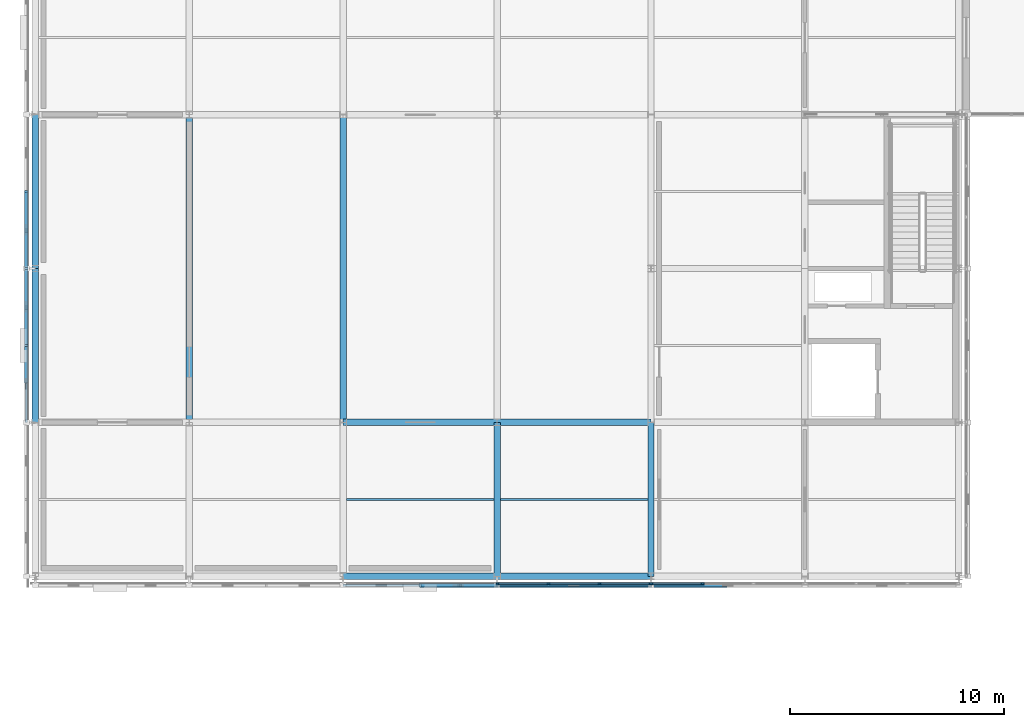
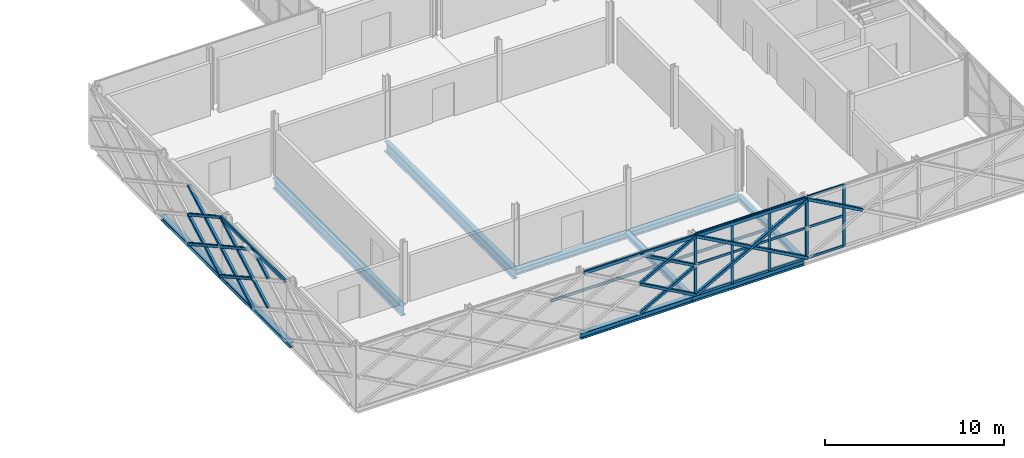
# One storey, part 26 of 146: 45 members, 12 beams, 2 elements without a shape of their own.
"""IFC4 building model written with IfcOpenShell, lengths in metres."""

import ifcopenshell
import ifcopenshell.guid

model = None  # the IFC model being written
_history = None  # IfcOwnerHistory: only IFC2X3 demands one
_inside = {}  # id of a spatial element -> (the spatial element, [elements in it])
_under = {}  # id of a project, library or spatial element -> (it, [spatial elements below it])
_declared = {}  # id of a project -> (the project, [libraries it declares])
_typed = {}  # id of a type object -> (the type object, [elements of that type])
_made_of = {}  # id of a material, layer set ... -> (it, [elements and type objects made of it])


def new_model(schema):
    """Start an empty IFC model of exactly this schema.

    Asked for "IFC4X3", IfcOpenShell would pick the latest addendum, in which some entities
    have other attributes; the version numbers below select the first issue.
    IFC2X3 requires an IfcOwnerHistory on every rooted entity: one is made here for all.
    """
    global model, _history
    if schema == "IFC4X3":
        model = ifcopenshell.file(schema_version=(4, 3, 0, 0))
    else:
        model = ifcopenshell.file(schema=schema)
    _inside.clear()
    _under.clear()
    _declared.clear()
    _typed.clear()
    _made_of.clear()
    _history = None
    if model.schema == "IFC2X3":
        org = make("IfcOrganization", Name="unknown")
        user = make(
            "IfcPersonAndOrganization",
            ThePerson=make("IfcPerson", FamilyName="unknown"),
            TheOrganization=org,
        )
        app = make(
            "IfcApplication",
            ApplicationDeveloper=org,
            Version="unknown",
            ApplicationFullName="unknown",
            ApplicationIdentifier="unknown",
        )
        _history = make(
            "IfcOwnerHistory",
            OwningUser=user,
            OwningApplication=app,
            ChangeAction="ADDED",
            CreationDate=0,
        )
    return model


def make(cls, **values):
    """One entity of the class cls with the attributes given. An attribute that is None is left unset."""
    return model.create_entity(
        cls, **{name: value for name, value in values.items() if value is not None}
    )


def rooted(cls, **values):
    """An entity with a GlobalId (a new one), such as an element, a storey or a relation."""
    return make(cls, GlobalId=ifcopenshell.guid.new(), OwnerHistory=_history, **values)


def si_unit(unit_type, name, prefix=None):
    """IfcSIUnit, for example si_unit("LENGTHUNIT", "METRE", prefix="MILLI")."""
    return make("IfcSIUnit", UnitType=unit_type, Prefix=prefix, Name=name)


def assignment(units):
    """IfcUnitAssignment: the units of a project."""
    return None if units is None else make("IfcUnitAssignment", Units=units)


def point(xyz):
    """IfcCartesianPoint."""
    return None if xyz is None else make("IfcCartesianPoint", Coordinates=xyz)


def direction(xyz):
    """IfcDirection."""
    return None if xyz is None else make("IfcDirection", DirectionRatios=xyz)


def frame(location, z_axis=None, x_axis=None):
    """IfcAxis2Placement3D, a coordinate frame: its origin and axes. An axis left out is left unset."""
    return make(
        "IfcAxis2Placement3D",
        Location=point(location),
        Axis=direction(z_axis),
        RefDirection=direction(x_axis),
    )


def frame_2d(location, x_axis=None):
    """IfcAxis2Placement2D, a coordinate frame in the plane: its origin and x axis."""
    return make(
        "IfcAxis2Placement2D", Location=point(location), RefDirection=direction(x_axis)
    )


def origin():
    """The frame at (0, 0, 0) with its axes left unset."""
    return frame((0.0, 0.0, 0.0))


def origin_2d():
    """The frame at (0, 0) in the plane with its x axis left unset."""
    return frame_2d((0.0, 0.0))


def place(relative_to, where):
    """IfcLocalPlacement: puts the frame where relative to a parent placement (None: the world)."""
    return make(
        "IfcLocalPlacement", PlacementRelTo=relative_to, RelativePlacement=where
    )


def context(
    kind, dimensions, precision=None, world=None, true_north=None, identifier=None
):
    """IfcGeometricRepresentationContext, for example the 3D "Model" context."""
    return make(
        "IfcGeometricRepresentationContext",
        ContextIdentifier=identifier,
        ContextType=kind,
        CoordinateSpaceDimension=dimensions,
        Precision=precision,
        WorldCoordinateSystem=world,
        TrueNorth=true_north,
    )


def subcontext(parent, identifier, kind, view, scale=None):
    """IfcGeometricRepresentationSubContext, for example "Body" below "Model"."""
    return make(
        "IfcGeometricRepresentationSubContext",
        ContextIdentifier=identifier,
        ContextType=kind,
        ParentContext=parent,
        TargetScale=scale,
        TargetView=view,
    )


def project(units=None, contexts=None):
    """IfcProject with its units and contexts."""
    return rooted(
        "IfcProject",
        Name="project",
        RepresentationContexts=contexts,
        UnitsInContext=assignment(units),
    )


def spatial(cls, under=None, at=None, **own):
    """A site, building, storey or space (cls), placed at a placement, below another one or the project."""
    s = rooted(cls, ObjectPlacement=at, **own)
    if under is not None:
        _under.setdefault(under.id(), (under, []))[1].append(s)
    return s


def profile(cls, at=None, kind="AREA", **sizes):
    """A parametric profile (cls). Its sizes go by their IFC names, for example OverallWidth=200.0."""
    return make(cls, ProfileType=kind, Position=at, **sizes)


def rectangle(**sizes):
    """IfcRectangleProfileDef."""
    return profile("IfcRectangleProfileDef", **sizes)


def hollow_rectangle(**sizes):
    """IfcRectangleHollowProfileDef."""
    return profile("IfcRectangleHollowProfileDef", **sizes)


def i_section(**sizes):
    """IfcIShapeProfileDef."""
    return profile("IfcIShapeProfileDef", **sizes)


def extrude(swept, where, along, depth):
    """IfcExtrudedAreaSolid: the profile swept, set in the frame where, extruded along a direction by depth."""
    return make(
        "IfcExtrudedAreaSolid",
        SweptArea=swept,
        Position=where,
        ExtrudedDirection=direction(along),
        Depth=depth,
    )


def shape(context_of_items, identifier, shape_type, items):
    """IfcShapeRepresentation: the items that make up one representation, for example the "Body"."""
    return make(
        "IfcShapeRepresentation",
        ContextOfItems=context_of_items,
        RepresentationIdentifier=identifier,
        RepresentationType=shape_type,
        Items=items,
    )


def material(Name=None, Category=None):
    """IfcMaterial."""
    return make("IfcMaterial", Name=Name, Category=Category)


def material_profile(
    of_material, cross_section, Name=None, Category=None, Priority=None
):
    """IfcMaterialProfile: a cross section and its material."""
    return make(
        "IfcMaterialProfile",
        Name=Name,
        Material=of_material,
        Profile=cross_section,
        Priority=Priority,
        Category=Category,
    )


def profile_set(profiles, Name=None, composite=None):
    """IfcMaterialProfileSet."""
    return make(
        "IfcMaterialProfileSet",
        Name=Name,
        MaterialProfiles=profiles,
        CompositeProfile=composite,
    )


def made_of(thing, what):
    """Note that an element or type object is made of a material, layer set ...; save() writes the relation."""
    if what is not None:
        _made_of.setdefault(what.id(), (what, []))[1].append(thing)
    return thing


def type_object(cls, material=None, **own):
    """A type object (cls), such as IfcWallType, which elements share."""
    return made_of(rooted(cls, **own), material)


def element(
    cls,
    number,
    at=None,
    inside=None,
    cuts=None,
    type_object=None,
    material=None,
    context=None,
    identifier="Body",
    shape_type=None,
    held_by="IfcProductDefinitionShape",
    body=None,
    shapes=None,
    **own,
):
    """One element of the class cls, such as IfcWall. Its Tag is "e" and its number.

    at: its placement. inside: the storey or other place that contains it. cuts: it is an
    opening in that element (IfcRelVoidsElement). A single representation is given by context,
    identifier, shape_type and body (its items); several are given by shapes. held_by: the class
    of the entity that holds the representations. save() writes the other relations.
    """
    e = rooted(cls, Tag="e%d" % number, ObjectPlacement=at, **own)
    if body is not None:
        shapes = [shape(context, identifier, shape_type, body)]
    if shapes is not None:
        e.Representation = make(held_by, Representations=shapes)
    if inside is not None:
        _inside.setdefault(inside.id(), (inside, []))[1].append(e)
    if cuts is not None:
        rooted(
            "IfcRelVoidsElement", RelatingBuildingElement=cuts, RelatedOpeningElement=e
        )
    if type_object is not None:
        _typed.setdefault(type_object.id(), (type_object, []))[1].append(e)
    return made_of(e, material)


def aggregate(whole, parts):
    """IfcRelAggregates: a whole, such as a stair, and the parts it consists of."""
    return rooted("IfcRelAggregates", RelatingObject=whole, RelatedObjects=parts)


def save(model, path):
    """Write the relations noted so far, then the file.

    IfcRelAggregates (storeys below a building ...), IfcRelContainedInSpatialStructure (elements
    in a storey), IfcRelDefinesByType, IfcRelAssociatesMaterial and IfcRelDeclares: one each for
    every whole, place, type object, material and project.
    """
    for whole, parts in _under.values():
        aggregate(whole, parts)
    for where, things in _inside.values():
        rooted(
            "IfcRelContainedInSpatialStructure",
            RelatedElements=things,
            RelatingStructure=where,
        )
    for kind, things in _typed.values():
        rooted("IfcRelDefinesByType", RelatedObjects=things, RelatingType=kind)
    for what, things in _made_of.values():
        rooted("IfcRelAssociatesMaterial", RelatedObjects=things, RelatingMaterial=what)
    for by, libraries in _declared.values():
        rooted("IfcRelDeclares", RelatingContext=by, RelatedDefinitions=libraries)
    model.write(path)


model = new_model("IFC4")

# Units and contexts
model_context = context("Model", 3, precision=1e-05, world=origin(), true_north=direction((0.0, 1.0)))
body_context = subcontext(model_context, "Body", "Model", "MODEL_VIEW")
ifc_project = project(units=[si_unit("LENGTHUNIT", "METRE"), si_unit("AREAUNIT", "SQUARE_METRE"), si_unit("VOLUMEUNIT", "CUBIC_METRE"), si_unit("PLANEANGLEUNIT", "RADIAN"), si_unit("MASSUNIT", "GRAM", prefix="KILO")], contexts=[model_context])

# Site, building, storey
site_placement = place(None, origin())
site = spatial("IfcSite", under=ifc_project, at=site_placement, CompositionType="ELEMENT")
building_placement = place(site_placement, origin())
building = spatial("IfcBuilding", under=site, at=building_placement, Name="Zlatovets Crest Museum", CompositionType="ELEMENT")
storey_placement = place(building_placement, frame((0.0, 0.0, 4.5)))
storey = spatial("IfcBuildingStorey", under=building, at=storey_placement, Name="L01", CompositionType="ELEMENT", Elevation=4.5)

# Beams
ifc_material_1 = material(Name="Structural steel S355J2", Category="steel")
ifc_material_profile_1 = material_profile(ifc_material_1, i_section(OverallWidth=0.300048828125, OverallDepth=0.389892578125, WebThickness=0.010986328125, FlangeThickness=0.01904296875, FilletRadius=0.027099609375, at=origin_2d()), Name="HEA 400")
ifc_profile_set_1 = profile_set([ifc_material_profile_1], Name="Structural steel S355J2")
beam_type_1 = type_object("IfcBeamType", Name="Beam_B-02", PredefinedType="BEAM", material=ifc_profile_set_1)
beam_1_placement = place(storey_placement, frame((14.39990234375, 0.0, -0.4150390625), z_axis=(1.0, 0.0, 0.0), x_axis=(0.0, 1.0, 0.0)))
element("IfcBeam", 1, at=beam_1_placement, inside=storey, type_object=beam_type_1, Name="V3 L01 Primary Girder B-02", PredefinedType="BEAM", context=body_context, shape_type="SweptSolid", body=[
    extrude(i_section(OverallWidth=0.300048828125, OverallDepth=0.389892578125, WebThickness=0.010986328125, FlangeThickness=0.01904296875, FilletRadius=0.027099609375, at=origin_2d()), origin(), (0.0, 0.0, 1.0), 7.2001953125),
])
beam_2_placement = place(storey_placement, frame((21.60009765625, 0.0, -0.4150390625), z_axis=(1.0, 0.0, 0.0), x_axis=(0.0, 1.0, 0.0)))
element("IfcBeam", 2, at=beam_2_placement, inside=storey, type_object=beam_type_1, Name="V3 L01 Primary Girder B-02", PredefinedType="BEAM", context=body_context, shape_type="SweptSolid", body=[
    extrude(i_section(OverallWidth=0.300048828125, OverallDepth=0.389892578125, WebThickness=0.010986328125, FlangeThickness=0.01904296875, FilletRadius=0.027099609375, at=origin_2d()), origin(), (0.0, 0.0, 1.0), 7.199951171875),
])
beam_3_placement = place(storey_placement, frame((14.39990234375, 7.199951171875, -0.4150390625), z_axis=(1.0, 0.0, 0.0), x_axis=(0.0, 1.0, 0.0)))
element("IfcBeam", 3, at=beam_3_placement, inside=storey, type_object=beam_type_1, Name="V3 L01 Primary Girder B-02", PredefinedType="BEAM", context=body_context, shape_type="SweptSolid", body=[
    extrude(i_section(OverallWidth=0.300048828125, OverallDepth=0.389892578125, WebThickness=0.010986328125, FlangeThickness=0.01904296875, FilletRadius=0.027099609375, at=origin_2d()), origin(), (0.0, 0.0, 1.0), 7.2001953125),
])
beam_4_placement = place(storey_placement, frame((21.60009765625, 7.199951171875, -0.4150390625), z_axis=(1.0, 0.0, 0.0), x_axis=(0.0, 1.0, 0.0)))
element("IfcBeam", 4, at=beam_4_placement, inside=storey, type_object=beam_type_1, Name="V3 L01 Primary Girder B-02", PredefinedType="BEAM", context=body_context, shape_type="SweptSolid", body=[
    extrude(i_section(OverallWidth=0.300048828125, OverallDepth=0.389892578125, WebThickness=0.010986328125, FlangeThickness=0.01904296875, FilletRadius=0.027099609375, at=origin_2d()), origin(), (0.0, 0.0, 1.0), 7.199951171875),
])
ifc_material_profile_2 = material_profile(ifc_material_1, i_section(OverallWidth=0.300048828125, OverallDepth=0.35009765625, WebThickness=0.010009765625, FlangeThickness=0.017578125, FilletRadius=0.027099609375, at=origin_2d()), Name="HEA 360")
ifc_profile_set_2 = profile_set([ifc_material_profile_2], Name="Structural steel S355J2")
beam_type_2 = type_object("IfcBeamType", Name="Beam_B-03", PredefinedType="BEAM", material=ifc_profile_set_2)
beam_5_placement = place(storey_placement, frame((0.0, 7.199951171875, -0.39501953125), z_axis=(0.0, 1.0, 0.0), x_axis=(-1.0, 0.0, 0.0)))
element("IfcBeam", 5, at=beam_5_placement, inside=storey, type_object=beam_type_2, Name="V3 L01 Grid Beam B-03", PredefinedType="BEAM", context=body_context, shape_type="SweptSolid", body=[
    extrude(i_section(OverallWidth=0.300048828125, OverallDepth=0.35009765625, WebThickness=0.010009765625, FlangeThickness=0.017578125, FilletRadius=0.027099609375, at=origin_2d()), origin(), (0.0, 0.0, 1.0), 7.199951171875),
])
beam_6_placement = place(storey_placement, frame((0.0, 14.39990234375, -0.39501953125), z_axis=(0.0, 1.0, 0.0), x_axis=(-1.0, 0.0, 0.0)))
element("IfcBeam", 6, at=beam_6_placement, inside=storey, type_object=beam_type_2, Name="V3 L01 Grid Beam B-03", PredefinedType="BEAM", context=body_context, shape_type="SweptSolid", body=[
    extrude(i_section(OverallWidth=0.300048828125, OverallDepth=0.35009765625, WebThickness=0.010009765625, FlangeThickness=0.017578125, FilletRadius=0.027099609375, at=origin_2d()), origin(), (0.0, 0.0, 1.0), 7.2001953125),
])
for number, where, z_axis, x_axis, name in (
    (7, (21.60009765625, 0.0, -0.39501953125), (0.0, 1.0, 0.0), (-1.0, 0.0, 0.0), "V3 L01 Grid Beam B-03"),
    (8, (28.800048828125, 0.0, -0.39501953125), (0.0, 1.0, 0.0), (-1.0, 0.0, 0.0), "V3 L01 Grid Beam B-03"),
):
    element("IfcBeam", number, at=place(storey_placement, frame(where, z_axis=z_axis, x_axis=x_axis)), inside=storey, type_object=beam_type_2, Name=name, PredefinedType="BEAM", context=body_context, shape_type="SweptSolid", body=[
        extrude(i_section(OverallWidth=0.300048828125, OverallDepth=0.35009765625, WebThickness=0.010009765625, FlangeThickness=0.017578125, FilletRadius=0.027099609375, at=origin_2d()), origin(), (0.0, 0.0, 1.0), 7.199951171875),
    ])
ifc_material_profile_3 = material_profile(ifc_material_1, i_section(OverallWidth=0.300048828125, OverallDepth=0.699951171875, WebThickness=0.01708984375, FlangeThickness=0.031982421875, FilletRadius=0.027099609375, at=origin_2d()), Name="HEB 700")
ifc_profile_set_3 = profile_set([ifc_material_profile_3], Name="Structural steel S355J2")
beam_type_3 = type_object("IfcBeamType", Name="Beam_B-08", PredefinedType="BEAM", material=ifc_profile_set_3)
for number, where, z_axis, x_axis, name in (
    (9, (7.199951171875, 7.199951171875, -0.570068359375), (0.0, 1.0, 0.0), (-1.0, 0.0, 0.0), "V3 L01 Grid Beam B-08"),
    (10, (14.39990234375, 7.199951171875, -0.570068359375), (0.0, 1.0, 0.0), (-1.0, 0.0, 0.0), "V3 L01 Grid Beam B-08"),
):
    element("IfcBeam", number, at=place(storey_placement, frame(where, z_axis=z_axis, x_axis=x_axis)), inside=storey, type_object=beam_type_3, Name=name, PredefinedType="BEAM", context=body_context, shape_type="SweptSolid", body=[
        extrude(i_section(OverallWidth=0.300048828125, OverallDepth=0.699951171875, WebThickness=0.01708984375, FlangeThickness=0.031982421875, FilletRadius=0.027099609375, at=origin_2d()), origin(), (0.0, 0.0, 1.0), 14.400146484375),
    ])
ifc_material_profile_4 = material_profile(ifc_material_1, i_section(OverallWidth=0.091064453125, OverallDepth=0.179931640625, WebThickness=0.00537109375, FlangeThickness=0.008056640625, FilletRadius=0.009033203125, at=origin_2d()), Name="IPE 180")
ifc_profile_set_4 = profile_set([ifc_material_profile_4], Name="Structural steel S355J2")
beam_type_4 = type_object("IfcBeamType", Name="Beam_J-11", PredefinedType="JOIST", material=ifc_profile_set_4)
for number, where, z_axis, x_axis, name in (
    (11, (14.550048828125, 3.60009765625, -0.31005859375), (1.0, 0.0, 0.0), (0.0, 1.0, 0.0), "V3 L01 Composite Joist J-11"),
    (12, (21.75, 3.60009765625, -0.31005859375), (1.0, 0.0, 0.0), (0.0, 1.0, 0.0), "V3 L01 Composite Joist J-11"),
):
    element("IfcBeam", number, at=place(storey_placement, frame(where, z_axis=z_axis, x_axis=x_axis)), inside=storey, type_object=beam_type_4, Name=name, PredefinedType="JOIST", context=body_context, shape_type="SweptSolid", body=[
        extrude(i_section(OverallWidth=0.091064453125, OverallDepth=0.179931640625, WebThickness=0.00537109375, FlangeThickness=0.008056640625, FilletRadius=0.009033203125, at=origin_2d()), origin(), (0.0, 0.0, 1.0), 6.89990234375),
    ])

# Curtain wall, members
ifc_material_2 = material(Name="Bronze-anodised aluminium and low-E triple glass", Category="aluminium")
curtain_wall_type_1 = type_object("IfcCurtainWallType", Name="CW_CW-V3-L01-M3", PredefinedType="NOTDEFINED", material=ifc_material_2)
curtain_wall_1_placement = place(storey_placement, origin())
curtain_wall_1 = element("IfcCurtainWall", 13, at=curtain_wall_1_placement, inside=storey, type_object=curtain_wall_type_1, Name="V3 L01 Secession Foyer Clear Curtain Wall", PredefinedType="NOTDEFINED")
ifc_material_3 = material(Name="Bronze-anodised aluminium EN AW-6060", Category="aluminium")
ifc_material_profile_5 = material_profile(ifc_material_3, rectangle(XDim=0.080078125, YDim=0.159912109375, at=origin_2d()), Name="ALU 80x160")
ifc_profile_set_5 = profile_set([ifc_material_profile_5], Name="Bronze-anodised aluminium EN AW-6060")
member_type_1 = type_object("IfcMemberType", Name="CWMull_M1", PredefinedType="MULLION", material=ifc_profile_set_5)
member_1_placement = place(storey_placement, frame((21.6298828125, -0.340087890625, 0.0), z_axis=(0.0, 0.0, 1.0), x_axis=(0.0, 1.0, 0.0)))
member_1 = element("IfcMember", 14, at=member_1_placement, type_object=member_type_1, Name="CW-V3-L01-M3 mullion 1", PredefinedType="MULLION", context=body_context, shape_type="SweptSolid", body=[
    extrude(rectangle(XDim=0.080078125, YDim=0.159912109375, at=origin_2d()), origin(), (0.0, 0.0, 1.0), 4.199951171875),
])
member_2_placement = place(storey_placement, frame((24.0, -0.340087890625, 0.0), z_axis=(0.0, 0.0, 1.0), x_axis=(0.0, 1.0, 0.0)))
member_2 = element("IfcMember", 15, at=member_2_placement, type_object=member_type_1, Name="CW-V3-L01-M3 mullion 2", PredefinedType="MULLION", context=body_context, shape_type="SweptSolid", body=[
    extrude(rectangle(XDim=0.080078125, YDim=0.159912109375, at=origin_2d()), origin(), (0.0, 0.0, 1.0), 4.199951171875),
])
member_3_placement = place(storey_placement, frame((26.39990234375, -0.340087890625, 0.0), z_axis=(0.0, 0.0, 1.0), x_axis=(0.0, 1.0, 0.0)))
member_3 = element("IfcMember", 16, at=member_3_placement, type_object=member_type_1, Name="CW-V3-L01-M3 mullion 3", PredefinedType="MULLION", context=body_context, shape_type="SweptSolid", body=[
    extrude(rectangle(XDim=0.080078125, YDim=0.159912109375, at=origin_2d()), origin(), (0.0, 0.0, 1.0), 4.199951171875),
])
member_4_placement = place(storey_placement, frame((28.77001953125, -0.340087890625, 0.0), z_axis=(0.0, 0.0, 1.0), x_axis=(0.0, 1.0, 0.0)))
member_4 = element("IfcMember", 17, at=member_4_placement, type_object=member_type_1, Name="CW-V3-L01-M3 mullion 4", PredefinedType="MULLION", context=body_context, shape_type="SweptSolid", body=[
    extrude(rectangle(XDim=0.080078125, YDim=0.159912109375, at=origin_2d()), origin(), (0.0, 0.0, 1.0), 4.199951171875),
])

curtain_wall_type_2 = type_object("IfcCurtainWallType", Name="CW_CW-V3-L01-M0", PredefinedType="NOTDEFINED", material=ifc_material_2)
curtain_wall_2_placement = place(storey_placement, origin())
curtain_wall_2 = element("IfcCurtainWall", 18, at=curtain_wall_2_placement, inside=storey, type_object=curtain_wall_type_2, Name="V3 L01 Secession Foyer Clear Curtain Wall", PredefinedType="NOTDEFINED")
member_5_placement = place(storey_placement, frame((28.830078125, -0.340087890625, 0.0), z_axis=(0.0, 0.0, 1.0), x_axis=(0.0, 1.0, 0.0)))
member_5 = element("IfcMember", 19, at=member_5_placement, type_object=member_type_1, Name="CW-V3-L01-M0 mullion 1", PredefinedType="MULLION", context=body_context, shape_type="SweptSolid", body=[
    extrude(rectangle(XDim=0.080078125, YDim=0.159912109375, at=origin_2d()), origin(), (0.0, 0.0, 1.0), 4.199951171875),
])
member_6_placement = place(storey_placement, frame((31.199951171875, -0.340087890625, 0.0), z_axis=(0.0, 0.0, 1.0), x_axis=(0.0, 1.0, 0.0)))
member_6 = element("IfcMember", 20, at=member_6_placement, type_object=member_type_1, Name="CW-V3-L01-M0 mullion 2", PredefinedType="MULLION", context=body_context, shape_type="SweptSolid", body=[
    extrude(rectangle(XDim=0.080078125, YDim=0.159912109375, at=origin_2d()), origin(), (0.0, 0.0, 1.0), 4.199951171875),
])

# Member
ifc_material_profile_6 = material_profile(ifc_material_3, rectangle(XDim=0.080078125, YDim=0.159912109375, at=origin_2d()), Name="ALU 80x160")
ifc_profile_set_6 = profile_set([ifc_material_profile_6], Name="Bronze-anodised aluminium EN AW-6060")
member_type_2 = type_object("IfcMemberType", Name="CWTrans_T1", PredefinedType="USERDEFINED", material=ifc_profile_set_6)
member_7_placement = place(storey_placement, frame((21.659912109375, -0.340087890625, 0.030029296875), z_axis=(1.0, 0.0, 0.0), x_axis=(0.0, 1.0, 0.0)))
member_7 = element("IfcMember", 21, at=member_7_placement, type_object=member_type_2, Name="CW-V3-L01-M3 transom 1.1", ObjectType="TRANSOM", PredefinedType="USERDEFINED", context=body_context, shape_type="SweptSolid", body=[
    extrude(rectangle(XDim=0.080078125, YDim=0.159912109375, at=origin_2d()), origin(), (0.0, 0.0, 1.0), 2.31005859375),
])

member_8_placement = place(storey_placement, frame((21.659912109375, -0.340087890625, 2.10009765625), z_axis=(1.0, 0.0, 0.0), x_axis=(0.0, 1.0, 0.0)))
member_8 = element("IfcMember", 22, at=member_8_placement, type_object=member_type_2, Name="CW-V3-L01-M3 transom 1.2", ObjectType="TRANSOM", PredefinedType="USERDEFINED", context=body_context, shape_type="SweptSolid", body=[
    extrude(rectangle(XDim=0.080078125, YDim=0.159912109375, at=origin_2d()), origin(), (0.0, 0.0, 1.0), 2.31005859375),
])

member_9_placement = place(storey_placement, frame((21.659912109375, -0.340087890625, 4.169921875), z_axis=(1.0, 0.0, 0.0), x_axis=(0.0, 1.0, 0.0)))
member_9 = element("IfcMember", 23, at=member_9_placement, type_object=member_type_2, Name="CW-V3-L01-M3 transom 1.3", ObjectType="TRANSOM", PredefinedType="USERDEFINED", context=body_context, shape_type="SweptSolid", body=[
    extrude(rectangle(XDim=0.080078125, YDim=0.159912109375, at=origin_2d()), origin(), (0.0, 0.0, 1.0), 2.31005859375),
])

member_10_placement = place(storey_placement, frame((24.030029296875, -0.340087890625, 0.030029296875), z_axis=(1.0, 0.0, 0.0), x_axis=(0.0, 1.0, 0.0)))
member_10 = element("IfcMember", 24, at=member_10_placement, type_object=member_type_2, Name="CW-V3-L01-M3 transom 2.1", ObjectType="TRANSOM", PredefinedType="USERDEFINED", context=body_context, shape_type="SweptSolid", body=[
    extrude(rectangle(XDim=0.080078125, YDim=0.159912109375, at=origin_2d()), origin(), (0.0, 0.0, 1.0), 2.340087890625),
])

member_11_placement = place(storey_placement, frame((24.030029296875, -0.340087890625, 2.10009765625), z_axis=(1.0, 0.0, 0.0), x_axis=(0.0, 1.0, 0.0)))
member_11 = element("IfcMember", 25, at=member_11_placement, type_object=member_type_2, Name="CW-V3-L01-M3 transom 2.2", ObjectType="TRANSOM", PredefinedType="USERDEFINED", context=body_context, shape_type="SweptSolid", body=[
    extrude(rectangle(XDim=0.080078125, YDim=0.159912109375, at=origin_2d()), origin(), (0.0, 0.0, 1.0), 2.340087890625),
])

member_12_placement = place(storey_placement, frame((24.030029296875, -0.340087890625, 4.169921875), z_axis=(1.0, 0.0, 0.0), x_axis=(0.0, 1.0, 0.0)))
member_12 = element("IfcMember", 26, at=member_12_placement, type_object=member_type_2, Name="CW-V3-L01-M3 transom 2.3", ObjectType="TRANSOM", PredefinedType="USERDEFINED", context=body_context, shape_type="SweptSolid", body=[
    extrude(rectangle(XDim=0.080078125, YDim=0.159912109375, at=origin_2d()), origin(), (0.0, 0.0, 1.0), 2.340087890625),
])

member_13_placement = place(storey_placement, frame((26.429931640625, -0.340087890625, 0.030029296875), z_axis=(1.0, 0.0, 0.0), x_axis=(0.0, 1.0, 0.0)))
member_13 = element("IfcMember", 27, at=member_13_placement, type_object=member_type_2, Name="CW-V3-L01-M3 transom 3.1", ObjectType="TRANSOM", PredefinedType="USERDEFINED", context=body_context, shape_type="SweptSolid", body=[
    extrude(rectangle(XDim=0.080078125, YDim=0.159912109375, at=origin_2d()), origin(), (0.0, 0.0, 1.0), 2.31005859375),
])

member_14_placement = place(storey_placement, frame((26.429931640625, -0.340087890625, 2.10009765625), z_axis=(1.0, 0.0, 0.0), x_axis=(0.0, 1.0, 0.0)))
member_14 = element("IfcMember", 28, at=member_14_placement, type_object=member_type_2, Name="CW-V3-L01-M3 transom 3.2", ObjectType="TRANSOM", PredefinedType="USERDEFINED", context=body_context, shape_type="SweptSolid", body=[
    extrude(rectangle(XDim=0.080078125, YDim=0.159912109375, at=origin_2d()), origin(), (0.0, 0.0, 1.0), 2.31005859375),
])

member_15_placement = place(storey_placement, frame((26.429931640625, -0.340087890625, 4.169921875), z_axis=(1.0, 0.0, 0.0), x_axis=(0.0, 1.0, 0.0)))
member_15 = element("IfcMember", 29, at=member_15_placement, type_object=member_type_2, Name="CW-V3-L01-M3 transom 3.3", ObjectType="TRANSOM", PredefinedType="USERDEFINED", context=body_context, shape_type="SweptSolid", body=[
    extrude(rectangle(XDim=0.080078125, YDim=0.159912109375, at=origin_2d()), origin(), (0.0, 0.0, 1.0), 2.31005859375),
])

aggregate(curtain_wall_1, [member_1, member_2, member_3, member_4, member_7, member_8, member_9, member_10, member_11, member_12, member_13, member_14, member_15])

member_16_placement = place(storey_placement, frame((28.860107421875, -0.340087890625, 0.030029296875), z_axis=(1.0, 0.0, 0.0), x_axis=(0.0, 1.0, 0.0)))
member_16 = element("IfcMember", 30, at=member_16_placement, type_object=member_type_2, Name="CW-V3-L01-M0 transom 1.1", ObjectType="TRANSOM", PredefinedType="USERDEFINED", context=body_context, shape_type="SweptSolid", body=[
    extrude(rectangle(XDim=0.080078125, YDim=0.159912109375, at=origin_2d()), origin(), (0.0, 0.0, 1.0), 2.309814453125),
])

member_17_placement = place(storey_placement, frame((28.860107421875, -0.340087890625, 2.10009765625), z_axis=(1.0, 0.0, 0.0), x_axis=(0.0, 1.0, 0.0)))
member_17 = element("IfcMember", 31, at=member_17_placement, type_object=member_type_2, Name="CW-V3-L01-M0 transom 1.2", ObjectType="TRANSOM", PredefinedType="USERDEFINED", context=body_context, shape_type="SweptSolid", body=[
    extrude(rectangle(XDim=0.080078125, YDim=0.159912109375, at=origin_2d()), origin(), (0.0, 0.0, 1.0), 2.309814453125),
])

member_18_placement = place(storey_placement, frame((28.860107421875, -0.340087890625, 4.169921875), z_axis=(1.0, 0.0, 0.0), x_axis=(0.0, 1.0, 0.0)))
member_18 = element("IfcMember", 32, at=member_18_placement, type_object=member_type_2, Name="CW-V3-L01-M0 transom 1.3", ObjectType="TRANSOM", PredefinedType="USERDEFINED", context=body_context, shape_type="SweptSolid", body=[
    extrude(rectangle(XDim=0.080078125, YDim=0.159912109375, at=origin_2d()), origin(), (0.0, 0.0, 1.0), 2.309814453125),
])

aggregate(curtain_wall_2, [member_5, member_6, member_16, member_17, member_18])

# Members
ifc_material_4 = material(Name="Weathering bronze-steel S355J2W", Category="steel")
ifc_material_profile_7 = material_profile(ifc_material_4, hollow_rectangle(XDim=0.179931640625, YDim=0.179931640625, WallThickness=0.010009765625, InnerFilletRadius=0.010009765625, OuterFilletRadius=0.02001953125, at=origin_2d()), Name="SHS 180x180x10.0")
ifc_profile_set_7 = profile_set([ifc_material_profile_7], Name="Weathering bronze-steel S355J2W")
member_type_3 = type_object("IfcMemberType", Name="Lattice_XL-01", PredefinedType="BRACE", material=ifc_profile_set_7)
member_19_placement = place(storey_placement, frame((18.0, -0.419921875, 0.10009765625), z_axis=(0.874162868644, 0.0, 0.485632864501), x_axis=(0.0, 1.0, 0.0)))
element("IfcMember", 33, at=member_19_placement, inside=storey, type_object=member_type_3, Name="Continuous Bronze Lattice Diagonal", PredefinedType="BRACE", context=body_context, shape_type="SweptSolid", body=[
    extrude(hollow_rectangle(XDim=0.179931640625, YDim=0.179931640625, WallThickness=0.010009765625, InnerFilletRadius=0.010009765625, OuterFilletRadius=0.02001953125, at=origin_2d()), origin(), (0.0, 0.0, 1.0), 4.118408203125),
])
member_20_placement = place(storey_placement, frame((18.0, -0.419921875, 2.10009765625), z_axis=(0.874116234569, 0.0, -0.48571679862), x_axis=(0.0, 1.0, 0.0)))
element("IfcMember", 34, at=member_20_placement, inside=storey, type_object=member_type_3, Name="Split Crossing Bronze Lattice Diagonal Upper", PredefinedType="BRACE", context=body_context, shape_type="SweptSolid", body=[
    extrude(hollow_rectangle(XDim=0.179931640625, YDim=0.179931640625, WallThickness=0.010009765625, InnerFilletRadius=0.010009765625, OuterFilletRadius=0.02001953125, at=origin_2d()), origin(), (0.0, 0.0, 1.0), 1.96435546875),
])
member_21_placement = place(storey_placement, frame((19.883056640625, -0.419921875, 1.053955078125), z_axis=(0.874169001841, 0.0, -0.485621824284), x_axis=(0.0, 1.0, 0.0)))
element("IfcMember", 35, at=member_21_placement, inside=storey, type_object=member_type_3, Name="Split Crossing Bronze Lattice Diagonal Lower", PredefinedType="BRACE", context=body_context, shape_type="SweptSolid", body=[
    extrude(hollow_rectangle(XDim=0.179931640625, YDim=0.179931640625, WallThickness=0.010009765625, InnerFilletRadius=0.010009765625, OuterFilletRadius=0.02001953125, at=origin_2d()), origin(), (0.0, 0.0, 1.0), 1.964111328125),
])
member_22_placement = place(storey_placement, frame((18.0, -0.419921875, 2.10009765625), z_axis=(0.874162868644, 0.0, 0.485632864501), x_axis=(0.0, 1.0, 0.0)))
element("IfcMember", 36, at=member_22_placement, inside=storey, type_object=member_type_3, Name="Continuous Bronze Lattice Diagonal", PredefinedType="BRACE", context=body_context, shape_type="SweptSolid", body=[
    extrude(hollow_rectangle(XDim=0.179931640625, YDim=0.179931640625, WallThickness=0.010009765625, InnerFilletRadius=0.010009765625, OuterFilletRadius=0.02001953125, at=origin_2d()), origin(), (0.0, 0.0, 1.0), 4.118408203125),
])
member_23_placement = place(storey_placement, frame((18.0, -0.419921875, 4.10009765625), z_axis=(0.874116234569, 0.0, -0.48571679862), x_axis=(0.0, 1.0, 0.0)))
element("IfcMember", 37, at=member_23_placement, inside=storey, type_object=member_type_3, Name="Split Crossing Bronze Lattice Diagonal Upper", PredefinedType="BRACE", context=body_context, shape_type="SweptSolid", body=[
    extrude(hollow_rectangle(XDim=0.179931640625, YDim=0.179931640625, WallThickness=0.010009765625, InnerFilletRadius=0.010009765625, OuterFilletRadius=0.02001953125, at=origin_2d()), origin(), (0.0, 0.0, 1.0), 1.96435546875),
])
member_24_placement = place(storey_placement, frame((19.883056640625, -0.419921875, 3.053955078125), z_axis=(0.874169001841, 0.0, -0.485621824284), x_axis=(0.0, 1.0, 0.0)))
element("IfcMember", 38, at=member_24_placement, inside=storey, type_object=member_type_3, Name="Split Crossing Bronze Lattice Diagonal Lower", PredefinedType="BRACE", context=body_context, shape_type="SweptSolid", body=[
    extrude(hollow_rectangle(XDim=0.179931640625, YDim=0.179931640625, WallThickness=0.010009765625, InnerFilletRadius=0.010009765625, OuterFilletRadius=0.02001953125, at=origin_2d()), origin(), (0.0, 0.0, 1.0), 1.964111328125),
])
member_25_placement = place(storey_placement, frame((-0.419921875, 18.0, 0.10009765625), z_axis=(0.0, -0.874162868644, 0.485632864501), x_axis=(1.0, 0.0, 0.0)))
element("IfcMember", 39, at=member_25_placement, inside=storey, type_object=member_type_3, Name="Continuous Bronze Lattice Diagonal", PredefinedType="BRACE", context=body_context, shape_type="SweptSolid", body=[
    extrude(hollow_rectangle(XDim=0.179931640625, YDim=0.179931640625, WallThickness=0.010009765625, InnerFilletRadius=0.010009765625, OuterFilletRadius=0.02001953125, at=origin_2d()), origin(), (0.0, 0.0, 1.0), 4.118408203125),
])
member_26_placement = place(storey_placement, frame((-0.419921875, 18.0, 2.10009765625), z_axis=(0.0, -0.874116234569, -0.48571679862), x_axis=(1.0, 0.0, 0.0)))
element("IfcMember", 40, at=member_26_placement, inside=storey, type_object=member_type_3, Name="Split Crossing Bronze Lattice Diagonal Upper", PredefinedType="BRACE", context=body_context, shape_type="SweptSolid", body=[
    extrude(hollow_rectangle(XDim=0.179931640625, YDim=0.179931640625, WallThickness=0.010009765625, InnerFilletRadius=0.010009765625, OuterFilletRadius=0.02001953125, at=origin_2d()), origin(), (0.0, 0.0, 1.0), 1.96435546875),
])
member_27_placement = place(storey_placement, frame((-0.419921875, 16.116943359375, 1.053955078125), z_axis=(0.0, -0.874169001841, -0.485621824284), x_axis=(1.0, 0.0, 0.0)))
element("IfcMember", 41, at=member_27_placement, inside=storey, type_object=member_type_3, Name="Split Crossing Bronze Lattice Diagonal Lower", PredefinedType="BRACE", context=body_context, shape_type="SweptSolid", body=[
    extrude(hollow_rectangle(XDim=0.179931640625, YDim=0.179931640625, WallThickness=0.010009765625, InnerFilletRadius=0.010009765625, OuterFilletRadius=0.02001953125, at=origin_2d()), origin(), (0.0, 0.0, 1.0), 1.964111328125),
])
member_28_placement = place(storey_placement, frame((-0.419921875, 18.0, 2.10009765625), z_axis=(0.0, -0.874162868644, 0.485632864501), x_axis=(1.0, 0.0, 0.0)))
element("IfcMember", 42, at=member_28_placement, inside=storey, type_object=member_type_3, Name="Continuous Bronze Lattice Diagonal", PredefinedType="BRACE", context=body_context, shape_type="SweptSolid", body=[
    extrude(hollow_rectangle(XDim=0.179931640625, YDim=0.179931640625, WallThickness=0.010009765625, InnerFilletRadius=0.010009765625, OuterFilletRadius=0.02001953125, at=origin_2d()), origin(), (0.0, 0.0, 1.0), 4.118408203125),
])
member_29_placement = place(storey_placement, frame((-0.419921875, 18.0, 4.10009765625), z_axis=(0.0, -0.874116234569, -0.48571679862), x_axis=(1.0, 0.0, 0.0)))
element("IfcMember", 43, at=member_29_placement, inside=storey, type_object=member_type_3, Name="Split Crossing Bronze Lattice Diagonal Upper", PredefinedType="BRACE", context=body_context, shape_type="SweptSolid", body=[
    extrude(hollow_rectangle(XDim=0.179931640625, YDim=0.179931640625, WallThickness=0.010009765625, InnerFilletRadius=0.010009765625, OuterFilletRadius=0.02001953125, at=origin_2d()), origin(), (0.0, 0.0, 1.0), 1.96435546875),
])
member_30_placement = place(storey_placement, frame((-0.419921875, 16.116943359375, 3.053955078125), z_axis=(0.0, -0.874169001841, -0.485621824284), x_axis=(1.0, 0.0, 0.0)))
element("IfcMember", 44, at=member_30_placement, inside=storey, type_object=member_type_3, Name="Split Crossing Bronze Lattice Diagonal Lower", PredefinedType="BRACE", context=body_context, shape_type="SweptSolid", body=[
    extrude(hollow_rectangle(XDim=0.179931640625, YDim=0.179931640625, WallThickness=0.010009765625, InnerFilletRadius=0.010009765625, OuterFilletRadius=0.02001953125, at=origin_2d()), origin(), (0.0, 0.0, 1.0), 1.964111328125),
])
member_31_placement = place(storey_placement, frame((-0.419921875, 14.39990234375, 0.10009765625), z_axis=(0.0, -0.874148886685, 0.485658031857), x_axis=(1.0, 0.0, 0.0)))
element("IfcMember", 45, at=member_31_placement, inside=storey, type_object=member_type_3, Name="Continuous Bronze Lattice Diagonal", PredefinedType="BRACE", context=body_context, shape_type="SweptSolid", body=[
    extrude(hollow_rectangle(XDim=0.179931640625, YDim=0.179931640625, WallThickness=0.010009765625, InnerFilletRadius=0.010009765625, OuterFilletRadius=0.02001953125, at=origin_2d()), origin(), (0.0, 0.0, 1.0), 4.1181640625),
])
for number, where, z_axis, x_axis, name in (
    (46, (-0.419921875, 14.39990234375, 2.10009765625), (0.0, -0.874086907708, -0.485769572713), (1.0, 0.0, 0.0), "Split Crossing Bronze Lattice Diagonal Upper"),
    (47, (-0.419921875, 12.51708984375, 1.053955078125), (0.0, -0.874169001841, -0.485621824284), (1.0, 0.0, 0.0), "Split Crossing Bronze Lattice Diagonal Lower"),
):
    element("IfcMember", number, at=place(storey_placement, frame(where, z_axis=z_axis, x_axis=x_axis)), inside=storey, type_object=member_type_3, Name=name, PredefinedType="BRACE", context=body_context, shape_type="SweptSolid", body=[
        extrude(hollow_rectangle(XDim=0.179931640625, YDim=0.179931640625, WallThickness=0.010009765625, InnerFilletRadius=0.010009765625, OuterFilletRadius=0.02001953125, at=origin_2d()), origin(), (0.0, 0.0, 1.0), 1.964111328125),
    ])
member_32_placement = place(storey_placement, frame((-0.419921875, 10.800048828125, 2.10009765625), z_axis=(0.0, -0.874116234569, -0.48571679862), x_axis=(1.0, 0.0, 0.0)))
element("IfcMember", 48, at=member_32_placement, inside=storey, type_object=member_type_3, Name="Split Crossing Bronze Lattice Diagonal Upper", PredefinedType="BRACE", context=body_context, shape_type="SweptSolid", body=[
    extrude(hollow_rectangle(XDim=0.179931640625, YDim=0.179931640625, WallThickness=0.010009765625, InnerFilletRadius=0.010009765625, OuterFilletRadius=0.02001953125, at=origin_2d()), origin(), (0.0, 0.0, 1.0), 1.96435546875),
])
member_33_placement = place(storey_placement, frame((-0.419921875, 14.39990234375, 2.10009765625), z_axis=(0.0, -0.874148886685, 0.485658031857), x_axis=(1.0, 0.0, 0.0)))
element("IfcMember", 49, at=member_33_placement, inside=storey, type_object=member_type_3, Name="Continuous Bronze Lattice Diagonal", PredefinedType="BRACE", context=body_context, shape_type="SweptSolid", body=[
    extrude(hollow_rectangle(XDim=0.179931640625, YDim=0.179931640625, WallThickness=0.010009765625, InnerFilletRadius=0.010009765625, OuterFilletRadius=0.02001953125, at=origin_2d()), origin(), (0.0, 0.0, 1.0), 4.1181640625),
])
for number, where, z_axis, x_axis, name in (
    (50, (-0.419921875, 14.39990234375, 4.10009765625), (0.0, -0.874086907708, -0.485769572713), (1.0, 0.0, 0.0), "Split Crossing Bronze Lattice Diagonal Upper"),
    (51, (-0.419921875, 12.51708984375, 3.053955078125), (0.0, -0.874169001841, -0.485621824284), (1.0, 0.0, 0.0), "Split Crossing Bronze Lattice Diagonal Lower"),
):
    element("IfcMember", number, at=place(storey_placement, frame(where, z_axis=z_axis, x_axis=x_axis)), inside=storey, type_object=member_type_3, Name=name, PredefinedType="BRACE", context=body_context, shape_type="SweptSolid", body=[
        extrude(hollow_rectangle(XDim=0.179931640625, YDim=0.179931640625, WallThickness=0.010009765625, InnerFilletRadius=0.010009765625, OuterFilletRadius=0.02001953125, at=origin_2d()), origin(), (0.0, 0.0, 1.0), 1.964111328125),
    ])
member_34_placement = place(storey_placement, frame((-0.419921875, 10.800048828125, 4.10009765625), z_axis=(0.0, -0.874116234569, -0.48571679862), x_axis=(1.0, 0.0, 0.0)))
element("IfcMember", 52, at=member_34_placement, inside=storey, type_object=member_type_3, Name="Split Crossing Bronze Lattice Diagonal Upper", PredefinedType="BRACE", context=body_context, shape_type="SweptSolid", body=[
    extrude(hollow_rectangle(XDim=0.179931640625, YDim=0.179931640625, WallThickness=0.010009765625, InnerFilletRadius=0.010009765625, OuterFilletRadius=0.02001953125, at=origin_2d()), origin(), (0.0, 0.0, 1.0), 1.96435546875),
])
ifc_material_profile_8 = material_profile(ifc_material_4, hollow_rectangle(XDim=0.199951171875, YDim=0.199951171875, WallThickness=0.012451171875, InnerFilletRadius=0.012451171875, OuterFilletRadius=0.02490234375, at=origin_2d()), Name="SHS 200x200x12.5")
ifc_profile_set_8 = profile_set([ifc_material_profile_8], Name="Weathering bronze-steel S355J2W")
member_type_4 = type_object("IfcMemberType", Name="Lattice_XL-02", PredefinedType="BRACE", material=ifc_profile_set_8)
member_35_placement = place(storey_placement, frame((21.60009765625, -0.419921875, 0.10009765625), z_axis=(0.874155877937, 0.0, 0.485645447903), x_axis=(0.0, 1.0, 0.0)))
element("IfcMember", 53, at=member_35_placement, inside=storey, type_object=member_type_4, Name="Continuous Bronze Lattice Diagonal", PredefinedType="BRACE", context=body_context, shape_type="SweptSolid", body=[
    extrude(hollow_rectangle(XDim=0.199951171875, YDim=0.199951171875, WallThickness=0.012451171875, InnerFilletRadius=0.012451171875, OuterFilletRadius=0.02490234375, at=origin_2d()), origin(), (0.0, 0.0, 1.0), 8.236572265625),
])
member_36_placement = place(storey_placement, frame((21.60009765625, -0.419921875, 4.10009765625), z_axis=(0.874125788284, 0.0, -0.485699604958), x_axis=(0.0, 1.0, 0.0)))
element("IfcMember", 54, at=member_36_placement, inside=storey, type_object=member_type_4, Name="Split Crossing Bronze Lattice Diagonal Upper", PredefinedType="BRACE", context=body_context, shape_type="SweptSolid", body=[
    extrude(hollow_rectangle(XDim=0.199951171875, YDim=0.199951171875, WallThickness=0.012451171875, InnerFilletRadius=0.012451171875, OuterFilletRadius=0.02490234375, at=origin_2d()), origin(), (0.0, 0.0, 1.0), 4.023193359375),
])
member_37_placement = place(storey_placement, frame((25.282958984375, -0.419921875, 2.053955078125), z_axis=(0.874165862873, 0.0, -0.485627474703), x_axis=(0.0, 1.0, 0.0)))
element("IfcMember", 55, at=member_37_placement, inside=storey, type_object=member_type_4, Name="Split Crossing Bronze Lattice Diagonal Lower", PredefinedType="BRACE", context=body_context, shape_type="SweptSolid", body=[
    extrude(hollow_rectangle(XDim=0.199951171875, YDim=0.199951171875, WallThickness=0.012451171875, InnerFilletRadius=0.012451171875, OuterFilletRadius=0.02490234375, at=origin_2d()), origin(), (0.0, 0.0, 1.0), 4.0234375),
])
member_38_placement = place(storey_placement, frame((28.800048828125, -0.419921875, 4.10009765625), z_axis=(0.874125788284, 0.0, -0.485699604958), x_axis=(0.0, 1.0, 0.0)))
element("IfcMember", 56, at=member_38_placement, inside=storey, type_object=member_type_4, Name="Split Crossing Bronze Lattice Diagonal Upper", PredefinedType="BRACE", context=body_context, shape_type="SweptSolid", body=[
    extrude(hollow_rectangle(XDim=0.199951171875, YDim=0.199951171875, WallThickness=0.012451171875, InnerFilletRadius=0.012451171875, OuterFilletRadius=0.02490234375, at=origin_2d()), origin(), (0.0, 0.0, 1.0), 4.023193359375),
])
ifc_material_profile_9 = material_profile(ifc_material_4, hollow_rectangle(XDim=0.1201171875, YDim=0.239990234375, WallThickness=0.010009765625, InnerFilletRadius=0.010009765625, OuterFilletRadius=0.02001953125, at=origin_2d()), Name="RHS 120x240x10.0")
ifc_profile_set_9 = profile_set([ifc_material_profile_9], Name="Weathering bronze-steel S355J2W")
member_type_5 = type_object("IfcMemberType", Name="Lattice_XL-04", PredefinedType="CHORD", material=ifc_profile_set_9)
member_39_placement = place(storey_placement, frame((14.39990234375, -0.419921875, 4.10009765625), z_axis=(1.0, 0.0, 0.0), x_axis=(0.0, 1.0, 0.0)))
element("IfcMember", 57, at=member_39_placement, inside=storey, type_object=member_type_5, Name="Art Nouveau Woven Cage Collector Ring Chord", PredefinedType="CHORD", context=body_context, shape_type="SweptSolid", body=[
    extrude(hollow_rectangle(XDim=0.1201171875, YDim=0.239990234375, WallThickness=0.010009765625, InnerFilletRadius=0.010009765625, OuterFilletRadius=0.02001953125, at=origin_2d()), origin(), (0.0, 0.0, 1.0), 7.2001953125),
])
for number, where, z_axis, x_axis, name in (
    (58, (21.60009765625, -0.419921875, 4.10009765625), (1.0, 0.0, 0.0), (0.0, 1.0, 0.0), "Art Nouveau Woven Cage Collector Ring Chord"),
    (59, (-0.419921875, 14.39990234375, 4.10009765625), (0.0, -1.0, 0.0), (1.0, 0.0, 0.0), "Art Nouveau Woven Cage Collector Ring Chord"),
):
    element("IfcMember", number, at=place(storey_placement, frame(where, z_axis=z_axis, x_axis=x_axis)), inside=storey, type_object=member_type_5, Name=name, PredefinedType="CHORD", context=body_context, shape_type="SweptSolid", body=[
        extrude(hollow_rectangle(XDim=0.1201171875, YDim=0.239990234375, WallThickness=0.010009765625, InnerFilletRadius=0.010009765625, OuterFilletRadius=0.02001953125, at=origin_2d()), origin(), (0.0, 0.0, 1.0), 7.199951171875),
    ])

save(model, "model.ifc")
